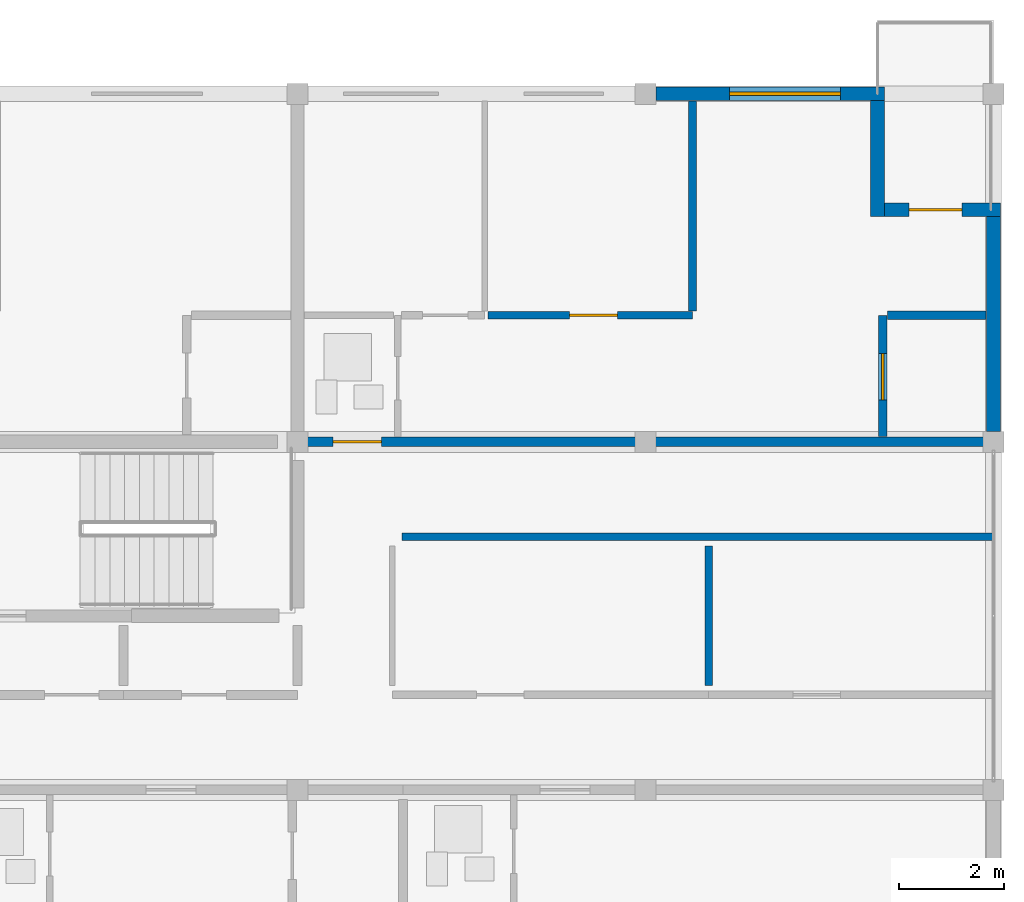
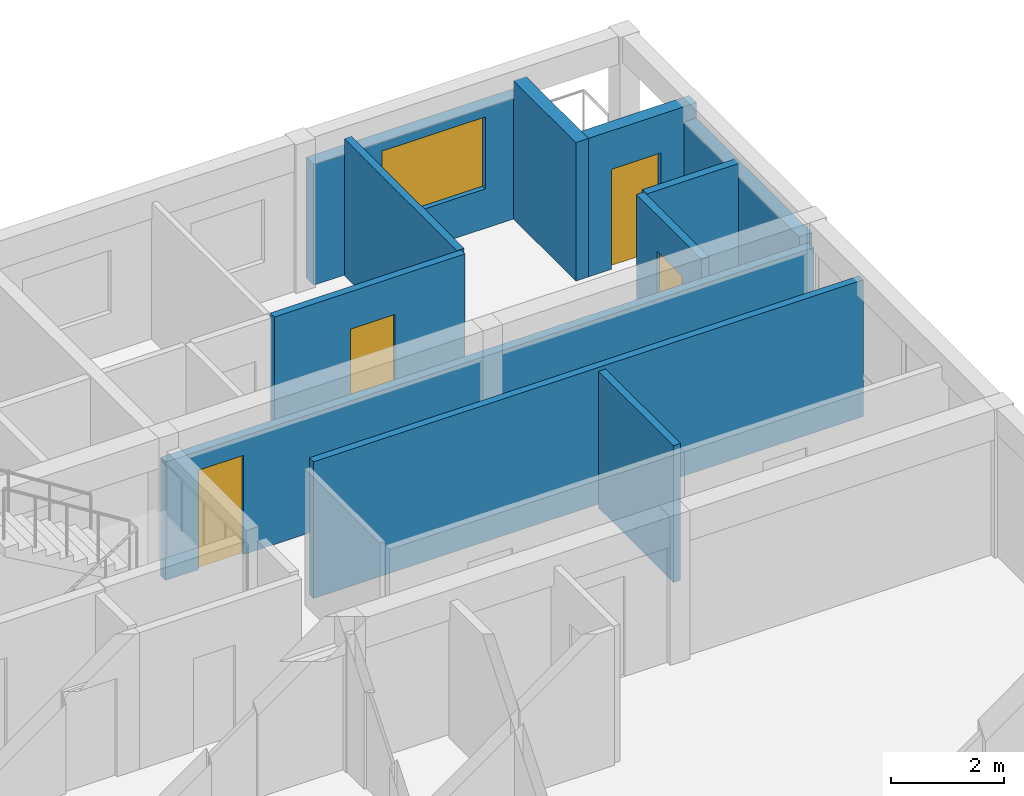
# One storey, part 28 of 34: 11 walls, 4 doors, 1 window, 5 openings.
"""IFC4 building model written with IfcOpenShell, lengths in metres."""

from ifc_helpers import new_model, si_unit, direction, frame, frame_2d, origin, place, context, subcontext, project, spatial, rectangle, extrude, material, layer, layer_set, type_object, element, fill, save


model = new_model("IFC4")

# Units and contexts
model_context = context("Model", 3, precision=1e-05, world=origin(), true_north=direction((0.0, 1.0)))
body_context = subcontext(model_context, "Body", "Model", "MODEL_VIEW")
ifc_project = project(units=[si_unit("LENGTHUNIT", "METRE"), si_unit("AREAUNIT", "SQUARE_METRE"), si_unit("VOLUMEUNIT", "CUBIC_METRE"), si_unit("PLANEANGLEUNIT", "RADIAN"), si_unit("MASSUNIT", "GRAM", prefix="KILO")], contexts=[model_context])

# Site, building, storey
site_placement = place(None, origin())
site = spatial("IfcSite", under=ifc_project, at=site_placement, CompositionType="ELEMENT")
building_placement = place(site_placement, origin())
building = spatial("IfcBuilding", under=site, at=building_placement, Name="Kernevlak Ridge Housing Community", CompositionType="ELEMENT")
storey_placement = place(building_placement, frame((0.0, 0.0, 40.39990234375)))
storey = spatial("IfcBuildingStorey", under=building, at=storey_placement, Name="L12", CompositionType="ELEMENT", Elevation=40.39990234375)

# Wall, opening, window
ifc_material_1 = material(Name="Concrete block masonry M10", Category="masonry")
ifc_layer_1 = layer(ifc_material_1, 0.260009765625, Name="Concrete block masonry M10")
ifc_layer_set_1 = layer_set([ifc_layer_1], Name="Concrete block masonry M10")
wall_type_1 = type_object("IfcWallType", Name="EW-05", PredefinedType="STANDARD", material=ifc_layer_set_1)
wall_1_placement = place(storey_placement, frame((146.0, 102.39990234375, 0.0), z_axis=(0.0, 0.0, 1.0), x_axis=(1.0, 0.0, 0.0)))
wall_1 = element("IfcWall", 1, at=wall_1_placement, inside=storey, type_object=wall_type_1, Name="Exterior wall EW-05 L12 492", PredefinedType="STANDARD", context=body_context, shape_type="SweptSolid", body=[
    extrude(rectangle(XDim=4.330078125, YDim=0.260009765625, at=frame_2d((2.1650390625, 0.0))), origin(), (0.0, 0.0, 1.0), 2.60009765625),
])
opening_1_placement = place(wall_1_placement, frame((1.39599609375, 0.0, 0.85009765625)))
opening_1 = element("IfcOpeningElement", 2, at=opening_1_placement, cuts=wall_1, Name="Opening WT-05", PredefinedType="OPENING", context=body_context, shape_type="SweptSolid", body=[
    extrude(rectangle(XDim=2.10009765625, YDim=1.550048828125, at=frame_2d((1.050048828125, 0.77490234375))), frame((0.0, 0.139892578125, 0.0), z_axis=(0.0, -1.0, 0.0), x_axis=(1.0, 0.0, 0.0)), (0.0, 0.0, 1.0), 0.280029296875),
])
ifc_material_2 = material(Name="Aluminium EN AW-6060 anodised and laminated glass", Category="aluminium")
window_type = type_object("IfcWindowType", Name="WT-05", PartitioningType="SINGLE_PANEL", PredefinedType="WINDOW", material=ifc_material_2)
window_placement = place(opening_1_placement, origin())
window = element("IfcWindow", 3, at=window_placement, inside=storey, type_object=window_type, Name="Window WT-05 L12 386", OverallHeight=1.550048828125, OverallWidth=2.10009765625, PartitioningType="SINGLE_PANEL", PredefinedType="WINDOW", context=body_context, shape_type="SweptSolid", body=[
    extrude(rectangle(XDim=2.10009765625, YDim=1.550048828125, at=frame_2d((1.050048828125, 0.77490234375))), frame((0.0, 0.030029296875, 0.0), z_axis=(0.0, -1.0, 0.0), x_axis=(1.0, 0.0, 0.0)), (0.0, 0.0, 1.0), 0.06005859375),
])
fill(opening_1, window)

# Wall
wall_2_placement = place(storey_placement, frame((150.199951171875, 102.27001953125, 0.0), z_axis=(0.0, 0.0, 1.0), x_axis=(0.0, -1.0, 0.0)))
element("IfcWall", 4, at=wall_2_placement, inside=storey, type_object=wall_type_1, Name="Exterior wall EW-05 L12 493", PredefinedType="STANDARD", context=body_context, shape_type="SweptSolid", body=[
    extrude(rectangle(XDim=2.199951171875, YDim=0.260009765625, at=frame_2d((1.10009765625, 0.0))), origin(), (0.0, 0.0, 1.0), 2.97998046875),
])

# Wall, opening, door
wall_3_placement = place(storey_placement, frame((150.330078125, 100.199951171875, 0.0), z_axis=(0.0, 0.0, 1.0), x_axis=(1.0, 0.0, 0.0)))
wall_3 = element("IfcWall", 5, at=wall_3_placement, inside=storey, type_object=wall_type_1, Name="Exterior wall EW-05 L12 494", PredefinedType="STANDARD", context=body_context, shape_type="SweptSolid", body=[
    extrude(rectangle(XDim=2.199951171875, YDim=0.260009765625, at=frame_2d((1.10009765625, 0.0))), origin(), (0.0, 0.0, 1.0), 2.97998046875),
])
opening_2_placement = place(wall_3_placement, frame((0.469970703125, 0.0, 0.0)))
opening_2 = element("IfcOpeningElement", 6, at=opening_2_placement, cuts=wall_3, Name="Opening D990", PredefinedType="OPENING", context=body_context, shape_type="SweptSolid", body=[
    extrude(rectangle(XDim=1.0, YDim=2.14990234375, at=frame_2d((0.5, 1.074951171875))), frame((0.0, 0.139892578125, 0.0), z_axis=(0.0, -1.0, 0.0), x_axis=(1.0, 0.0, 0.0)), (0.0, 0.0, 1.0), 0.280029296875),
])
ifc_material_3 = material(Name="Aluminium EN AW-6060 and laminated safety glass", Category="aluminium")
door_type_1 = type_object("IfcDoorType", Name="DT-08", OperationType="NOTDEFINED", PredefinedType="DOOR", material=ifc_material_3)
door_1_placement = place(opening_2_placement, origin())
door_1 = element("IfcDoor", 7, at=door_1_placement, inside=storey, type_object=door_type_1, Name="Flat B1223 corner balcony glazed door D990", OperationType="SINGLE_SWING_RIGHT", OverallHeight=2.14990234375, OverallWidth=1.0, PredefinedType="DOOR", context=body_context, shape_type="SweptSolid", body=[
    extrude(rectangle(XDim=1.0, YDim=2.14990234375, at=frame_2d((0.5, 1.074951171875))), frame((0.0, 0.02490234375, 0.0), z_axis=(0.0, -1.0, 0.0), x_axis=(1.0, 0.0, 0.0)), (0.0, 0.0, 1.0), 0.050048828125),
])
fill(opening_2, door_1)

# Wall
wall_4_placement = place(storey_placement, frame((152.39990234375, 96.0, 0.0), z_axis=(0.0, 0.0, 1.0), x_axis=(0.0, 1.0, 0.0)))
element("IfcWall", 8, at=wall_4_placement, inside=storey, type_object=wall_type_1, Name="Exterior wall EW-05 L12 498", PredefinedType="STANDARD", context=body_context, shape_type="SweptSolid", body=[
    extrude(rectangle(XDim=4.070068359375, YDim=0.260009765625, at=frame_2d((2.03515625, 0.0))), origin(), (0.0, 0.0, 1.0), 2.650146484375),
])

# Wall, opening, door
ifc_layer_2 = layer(ifc_material_1, 0.175048828125, Name="Concrete block masonry M10")
ifc_layer_set_2 = layer_set([ifc_layer_2], Name="Concrete block masonry M10")
wall_type_2 = type_object("IfcWallType", Name="PW-02", PredefinedType="PARTITIONING", material=ifc_layer_set_2)
wall_5_placement = place(storey_placement, frame((139.199951171875, 95.800048828125, 0.0), z_axis=(0.0, 0.0, 1.0), x_axis=(1.0, 0.0, 0.0)))
wall_5 = element("IfcWall", 9, at=wall_5_placement, inside=storey, type_object=wall_type_2, Name="Interior wall PW-02 WAL-INT-L12-1945", PredefinedType="PARTITIONING", context=body_context, shape_type="SweptSolid", body=[
    extrude(rectangle(XDim=13.199951171875, YDim=0.175048828125, at=frame_2d((6.60009765625, 0.0))), origin(), (0.0, 0.0, 1.0), 2.550048828125),
])
opening_3_placement = place(wall_5_placement, frame((0.669921875, 0.0, 0.0)))
opening_3 = element("IfcOpeningElement", 10, at=opening_3_placement, cuts=wall_5, Name="Opening D985", PredefinedType="OPENING", context=body_context, shape_type="SweptSolid", body=[
    extrude(rectangle(XDim=0.919921875, YDim=2.139892578125, at=frame_2d((0.4599609375, 1.06982421875))), frame((0.0, 0.097412109375, 0.0), z_axis=(0.0, -1.0, 0.0), x_axis=(1.0, 0.0, 0.0)), (0.0, 0.0, 1.0), 0.195068359375),
])
ifc_material_4 = material(Name="Hardwood timber solid-core fire leaf", Category="wood")
door_type_2 = type_object("IfcDoorType", Name="DT-20", OperationType="NOTDEFINED", PredefinedType="DOOR", material=ifc_material_4)
door_2_placement = place(opening_3_placement, origin())
door_2 = element("IfcDoor", 11, at=door_2_placement, inside=storey, type_object=door_type_2, Name="Flat B1223 entrance fire door D985", OperationType="SINGLE_SWING_LEFT", OverallHeight=2.139892578125, OverallWidth=0.919921875, PredefinedType="DOOR", context=body_context, shape_type="SweptSolid", body=[
    extrude(rectangle(XDim=0.919921875, YDim=2.139892578125, at=frame_2d((0.4599609375, 1.06982421875))), frame((0.0, 0.02490234375, 0.0), z_axis=(0.0, -1.0, 0.0), x_axis=(1.0, 0.0, 0.0)), (0.0, 0.0, 1.0), 0.050048828125),
])
fill(opening_3, door_2)

# Walls
ifc_layer_3 = layer(ifc_material_1, 0.14501953125, Name="Concrete block masonry M10")
ifc_layer_set_3 = layer_set([ifc_layer_3], Name="Concrete block masonry M10")
wall_type_3 = type_object("IfcWallType", Name="PW-03", PredefinedType="PARTITIONING", material=ifc_layer_set_3)
wall_6_placement = place(storey_placement, frame((147.0, 91.179931640625, 0.0), z_axis=(0.0, 0.0, 1.0), x_axis=(0.0, 1.0, 0.0)))
element("IfcWall", 12, at=wall_6_placement, inside=storey, type_object=wall_type_3, Name="Interior wall PW-03 WAL-INT-L12-1909", PredefinedType="PARTITIONING", context=body_context, shape_type="SweptSolid", body=[
    extrude(rectangle(XDim=2.64013671875, YDim=0.14501953125, at=frame_2d((1.320068359375, 0.0))), origin(), (0.0, 0.0, 1.0), 2.945068359375),
])
wall_7_placement = place(storey_placement, frame((141.179931640625, 94.0, 0.0), z_axis=(0.0, 0.0, 1.0), x_axis=(1.0, 0.0, 0.0)))
element("IfcWall", 13, at=wall_7_placement, inside=storey, type_object=wall_type_3, Name="Interior wall PW-03 WAL-INT-L12-1910", PredefinedType="PARTITIONING", context=body_context, shape_type="SweptSolid", body=[
    extrude(rectangle(XDim=11.199951171875, YDim=0.14501953125, at=frame_2d((5.60009765625, 0.0))), origin(), (0.0, 0.0, 1.0), 2.945068359375),
])

# Wall, opening, door
wall_8_placement = place(storey_placement, frame((142.8125, 98.199951171875, 0.0), z_axis=(0.0, 0.0, 1.0), x_axis=(1.0, 0.0, 0.0)))
wall_8 = element("IfcWall", 14, at=wall_8_placement, inside=storey, type_object=wall_type_3, Name="Interior wall PW-03 WAL-INT-L12-1952", PredefinedType="PARTITIONING", context=body_context, shape_type="SweptSolid", body=[
    extrude(rectangle(XDim=3.87939453125, YDim=0.14501953125, at=frame_2d((1.939697265625, 0.0))), origin(), (0.0, 0.0, 1.0), 2.945068359375),
])
opening_4_placement = place(wall_8_placement, frame((1.5458984375, 0.0, 0.0)))
opening_4 = element("IfcOpeningElement", 15, at=opening_4_placement, cuts=wall_8, Name="Opening D989", PredefinedType="OPENING", context=body_context, shape_type="SweptSolid", body=[
    extrude(rectangle(XDim=0.909912109375, YDim=2.139892578125, at=frame_2d((0.455078125, 1.06982421875))), frame((0.0, 0.08251953125, 0.0), z_axis=(0.0, -1.0, 0.0), x_axis=(1.0, 0.0, 0.0)), (0.0, 0.0, 1.0), 0.1650390625),
])
ifc_material_5 = material(Name="Hardwood timber leaf", Category="wood")
door_type_3 = type_object("IfcDoorType", Name="DT-31", OperationType="NOTDEFINED", PredefinedType="DOOR", material=ifc_material_5)
door_3_placement = place(opening_4_placement, origin())
door_3 = element("IfcDoor", 16, at=door_3_placement, inside=storey, type_object=door_type_3, Name="Flat B1223 bedroom door D989", OperationType="SINGLE_SWING_LEFT", OverallHeight=2.139892578125, OverallWidth=0.909912109375, PredefinedType="DOOR", context=body_context, shape_type="SweptSolid", body=[
    extrude(rectangle(XDim=0.909912109375, YDim=2.139892578125, at=frame_2d((0.455078125, 1.06982421875))), frame((0.0, 0.02490234375, 0.0), z_axis=(0.0, -1.0, 0.0), x_axis=(1.0, 0.0, 0.0)), (0.0, 0.0, 1.0), 0.050048828125),
])
fill(opening_4, door_3)

# Wall
wall_9_placement = place(storey_placement, frame((146.69189453125, 98.282470703125, 0.0), z_axis=(0.0, 0.0, 1.0), x_axis=(0.0, 1.0, 0.0)))
element("IfcWall", 17, at=wall_9_placement, inside=storey, type_object=wall_type_3, Name="Interior wall PW-03 WAL-INT-L12-1953", PredefinedType="PARTITIONING", context=body_context, shape_type="SweptSolid", body=[
    extrude(rectangle(XDim=3.9775390625, YDim=0.14501953125, at=frame_2d((1.98876953125, 0.0))), origin(), (0.0, 0.0, 1.0), 2.945068359375),
])

# Wall, opening, door
ifc_material_6 = material(Name="Gypsum plasterboard EN 520", Category="gypsum")
ifc_layer_4 = layer(ifc_material_6, 0.155029296875, Name="Gypsum plasterboard EN 520")
ifc_layer_set_4 = layer_set([ifc_layer_4], Name="Gypsum plasterboard EN 520")
wall_type_4 = type_object("IfcWallType", Name="PW-05", PredefinedType="PARTITIONING", material=ifc_layer_set_4)
wall_10_placement = place(storey_placement, frame((150.300048828125, 95.8974609375, 0.0), z_axis=(0.0, 0.0, 1.0), x_axis=(0.0, 1.0, 0.0)))
wall_10 = element("IfcWall", 18, at=wall_10_placement, inside=storey, type_object=wall_type_4, Name="Interior wall PW-05 WAL-INT-L12-1948", PredefinedType="PARTITIONING", context=body_context, shape_type="SweptSolid", body=[
    extrude(rectangle(XDim=2.302490234375, YDim=0.155029296875, at=frame_2d((1.1513671875, 0.0))), origin(), (0.0, 0.0, 1.0), 2.945068359375),
])
opening_5_placement = place(wall_10_placement, frame((0.699951171875, 0.0, 0.0)))
opening_5 = element("IfcOpeningElement", 19, at=opening_5_placement, cuts=wall_10, Name="Opening D987", PredefinedType="OPENING", context=body_context, shape_type="SweptSolid", body=[
    extrude(rectangle(XDim=0.8798828125, YDim=2.159912109375, at=frame_2d((0.43994140625, 1.080078125))), frame((0.0, 0.08740234375, 0.0), z_axis=(0.0, -1.0, 0.0), x_axis=(1.0, 0.0, 0.0)), (0.0, 0.0, 1.0), 0.175048828125),
])
door_type_4 = type_object("IfcDoorType", Name="DT-26", OperationType="NOTDEFINED", PredefinedType="DOOR", material=ifc_material_5)
door_4_placement = place(opening_5_placement, origin())
door_4 = element("IfcDoor", 20, at=door_4_placement, inside=storey, type_object=door_type_4, Name="Flat B1223 kitchen door D987", OperationType="SINGLE_SWING_LEFT", OverallHeight=2.159912109375, OverallWidth=0.8798828125, PredefinedType="DOOR", context=body_context, shape_type="SweptSolid", body=[
    extrude(rectangle(XDim=0.8798828125, YDim=2.159912109375, at=frame_2d((0.43994140625, 1.080078125))), frame((0.0, 0.02490234375, 0.0), z_axis=(0.0, -1.0, 0.0), x_axis=(1.0, 0.0, 0.0)), (0.0, 0.0, 1.0), 0.050048828125),
])
fill(opening_5, door_4)

# Wall
wall_11_placement = place(storey_placement, frame((150.387451171875, 98.199951171875, 0.0), z_axis=(0.0, 0.0, 1.0), x_axis=(1.0, 0.0, 0.0)))
element("IfcWall", 21, at=wall_11_placement, inside=storey, type_object=wall_type_4, Name="Interior wall PW-05 WAL-INT-L12-1949", PredefinedType="PARTITIONING", context=body_context, shape_type="SweptSolid", body=[
    extrude(rectangle(XDim=1.87255859375, YDim=0.155029296875, at=frame_2d((0.936279296875, 0.0))), origin(), (0.0, 0.0, 1.0), 2.945068359375),
])

save(model, "model.ifc")
